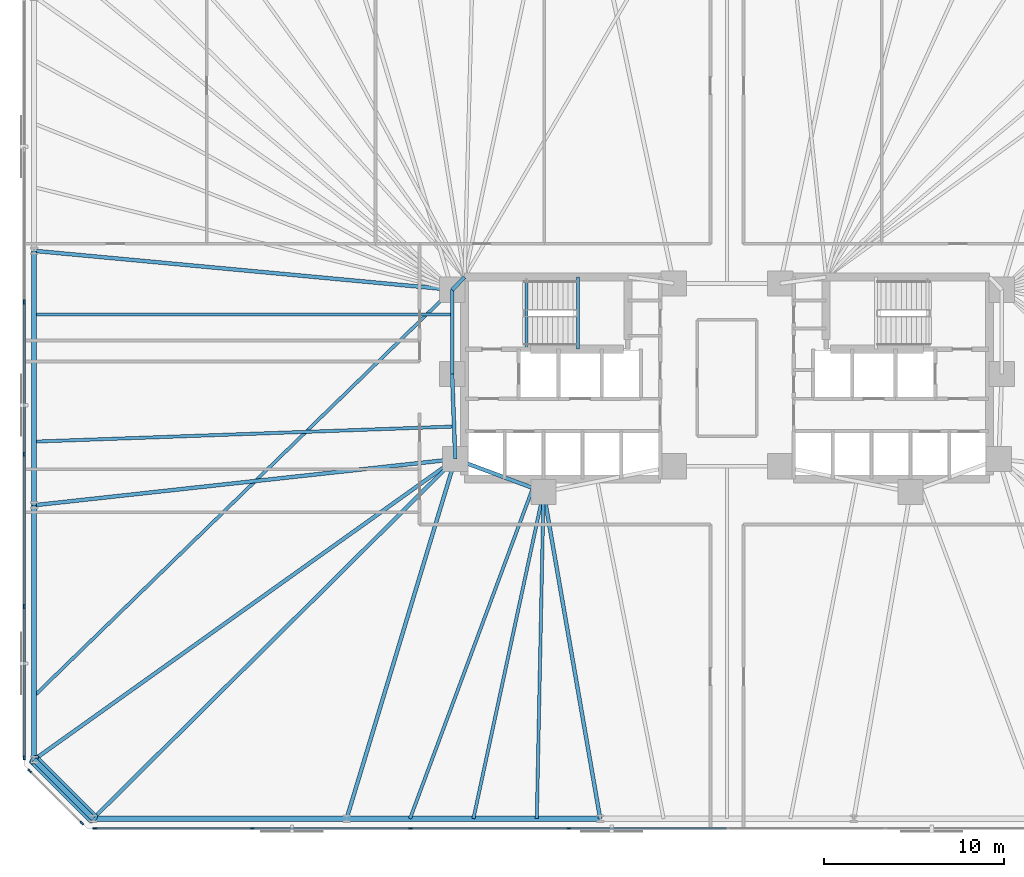
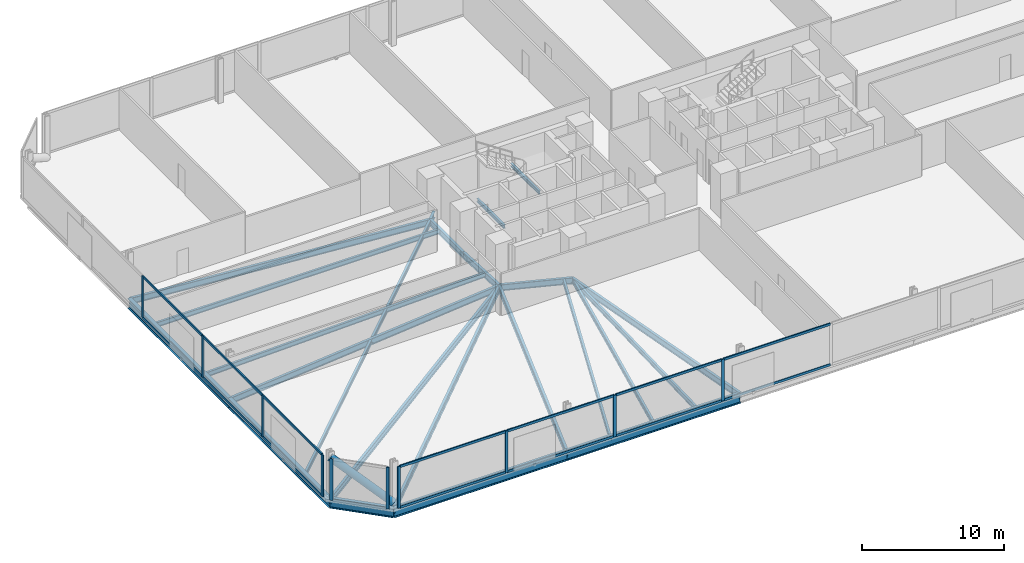
# One storey, part 6 of 16: 25 members, 23 beams, 3 elements without a shape of their own.
"""IFC4 building model written with IfcOpenShell, lengths in metres."""

from ifc_helpers import new_model, si_unit, direction, frame, origin, origin_2d, place, context, subcontext, project, spatial, rectangle, hollow_circle, i_section, extrude, material, material_profile, profile_set, type_object, element, aggregate, save


model = new_model("IFC4")

# Units and contexts
model_context = context("Model", 3, precision=1e-05, world=origin(), true_north=direction((0.0, 1.0)))
body_context = subcontext(model_context, "Body", "Model", "MODEL_VIEW")
ifc_project = project(units=[si_unit("LENGTHUNIT", "METRE"), si_unit("AREAUNIT", "SQUARE_METRE"), si_unit("VOLUMEUNIT", "CUBIC_METRE"), si_unit("PLANEANGLEUNIT", "RADIAN"), si_unit("MASSUNIT", "GRAM", prefix="KILO")], contexts=[model_context])

# Site, building, storey
site_placement = place(None, origin())
site = spatial("IfcSite", under=ifc_project, at=site_placement, CompositionType="ELEMENT")
building_placement = place(site_placement, origin())
building = spatial("IfcBuilding", under=site, at=building_placement, Name="Menara Jurai Vektor", CompositionType="ELEMENT")
storey_placement = place(building_placement, frame((0.0, 0.0, 33.199951171875)))
storey = spatial("IfcBuildingStorey", under=building, at=storey_placement, Name="L07", CompositionType="ELEMENT", Elevation=33.199951171875)

# Curtain wall, members
ifc_material_1 = material(Name="Anodised Pale Aluminium & Low-E Double Glazing", Category="aluminium")
curtain_wall_type = type_object("IfcCurtainWallType", Name="CW-BLK1", PredefinedType="NOTDEFINED", material=ifc_material_1)
curtain_wall_1_placement = place(storey_placement, origin())
curtain_wall_1 = element("IfcCurtainWall", 1, at=curtain_wall_1_placement, inside=storey, type_object=curtain_wall_type, Name="Unitised Curtain Wall L07 F01", PredefinedType="NOTDEFINED")
ifc_material_2 = material(Name="Anodised Pale Aluminium Mullion", Category="aluminium")
ifc_material_profile_1 = material_profile(ifc_material_2, rectangle(XDim=0.094970703125, YDim=0.239990234375, at=origin_2d()), Name="ALU MUL 95x240")
ifc_profile_set_1 = profile_set([ifc_material_profile_1], Name="Anodised Pale Aluminium Mullion")
member_type_1 = type_object("IfcMemberType", Name="CW-BLK1-MUL", PredefinedType="MULLION", material=ifc_profile_set_1)
member_1_placement = place(storey_placement, frame((-35.072509765625, -25.0, 0.0), z_axis=(0.0, 0.0, 1.0), x_axis=(0.0, 1.0, 0.0)))
member_1 = element("IfcMember", 2, at=member_1_placement, type_object=member_type_1, Name="CW-01 mullion 1", PredefinedType="MULLION", context=body_context, shape_type="SweptSolid", body=[
    extrude(rectangle(XDim=0.094970703125, YDim=0.239990234375, at=origin_2d()), origin(), (0.0, 0.0, 1.0), 3.574951171875),
])
member_2_placement = place(storey_placement, frame((-26.340087890625, -25.0, 0.0), z_axis=(0.0, 0.0, 1.0), x_axis=(0.0, 1.0, 0.0)))
member_2 = element("IfcMember", 3, at=member_2_placement, type_object=member_type_1, Name="CW-01 mullion 2", PredefinedType="MULLION", context=body_context, shape_type="SweptSolid", body=[
    extrude(rectangle(XDim=0.094970703125, YDim=0.239990234375, at=origin_2d()), origin(), (0.0, 0.0, 1.0), 3.574951171875),
])
member_3_placement = place(storey_placement, frame((-17.56005859375, -25.0, 0.0), z_axis=(0.0, 0.0, 1.0), x_axis=(0.0, 1.0, 0.0)))
member_3 = element("IfcMember", 4, at=member_3_placement, type_object=member_type_1, Name="CW-01 mullion 3", PredefinedType="MULLION", context=body_context, shape_type="SweptSolid", body=[
    extrude(rectangle(XDim=0.094970703125, YDim=0.239990234375, at=origin_2d()), origin(), (0.0, 0.0, 1.0), 3.574951171875),
])
member_4_placement = place(storey_placement, frame((-8.780029296875, -25.0, 0.0), z_axis=(0.0, 0.0, 1.0), x_axis=(0.0, 1.0, 0.0)))
member_4 = element("IfcMember", 5, at=member_4_placement, type_object=member_type_1, Name="CW-01 mullion 4", PredefinedType="MULLION", context=body_context, shape_type="SweptSolid", body=[
    extrude(rectangle(XDim=0.094970703125, YDim=0.239990234375, at=origin_2d()), origin(), (0.0, 0.0, 1.0), 3.574951171875),
])

curtain_wall_2_placement = place(storey_placement, origin())
curtain_wall_2 = element("IfcCurtainWall", 6, at=curtain_wall_2_placement, inside=storey, type_object=curtain_wall_type, Name="Unitised Curtain Wall L07 F07", PredefinedType="NOTDEFINED")
member_5_placement = place(storey_placement, frame((-39.0, 4.22412109375, 0.0), z_axis=(0.0, 0.0, 1.0), x_axis=(1.0, 0.0, 0.0)))
member_5 = element("IfcMember", 7, at=member_5_placement, type_object=member_type_1, Name="CW-01 mullion 3", PredefinedType="MULLION", context=body_context, shape_type="SweptSolid", body=[
    extrude(rectangle(XDim=0.094970703125, YDim=0.239990234375, at=origin_2d()), origin(), (0.0, 0.0, 1.0), 3.574951171875),
])
member_6_placement = place(storey_placement, frame((-39.0, -4.22412109375, 0.0), z_axis=(0.0, 0.0, 1.0), x_axis=(1.0, 0.0, 0.0)))
member_6 = element("IfcMember", 8, at=member_6_placement, type_object=member_type_1, Name="CW-01 mullion 4", PredefinedType="MULLION", context=body_context, shape_type="SweptSolid", body=[
    extrude(rectangle(XDim=0.094970703125, YDim=0.239990234375, at=origin_2d()), origin(), (0.0, 0.0, 1.0), 3.574951171875),
])
member_7_placement = place(storey_placement, frame((-39.0, -12.672119140625, 0.0), z_axis=(0.0, 0.0, 1.0), x_axis=(1.0, 0.0, 0.0)))
member_7 = element("IfcMember", 9, at=member_7_placement, type_object=member_type_1, Name="CW-01 mullion 5", PredefinedType="MULLION", context=body_context, shape_type="SweptSolid", body=[
    extrude(rectangle(XDim=0.094970703125, YDim=0.239990234375, at=origin_2d()), origin(), (0.0, 0.0, 1.0), 3.574951171875),
])
member_8_placement = place(storey_placement, frame((-39.0, -21.072509765625, 0.0), z_axis=(0.0, 0.0, 1.0), x_axis=(1.0, 0.0, 0.0)))
member_8 = element("IfcMember", 10, at=member_8_placement, type_object=member_type_1, Name="CW-01 mullion 6", PredefinedType="MULLION", context=body_context, shape_type="SweptSolid", body=[
    extrude(rectangle(XDim=0.094970703125, YDim=0.239990234375, at=origin_2d()), origin(), (0.0, 0.0, 1.0), 3.574951171875),
])

curtain_wall_3_placement = place(storey_placement, origin())
curtain_wall_3 = element("IfcCurtainWall", 11, at=curtain_wall_3_placement, inside=storey, type_object=curtain_wall_type, Name="Unitised Curtain Wall L07 F08", PredefinedType="NOTDEFINED")
member_9_placement = place(storey_placement, frame((-38.69775390625, -21.80224609375, 0.0), z_axis=(0.0, 0.0, 1.0), x_axis=(0.707106781187, 0.707106781187, 0.0)))
member_9 = element("IfcMember", 12, at=member_9_placement, type_object=member_type_1, Name="CW-01 mullion 1", PredefinedType="MULLION", context=body_context, shape_type="SweptSolid", body=[
    extrude(rectangle(XDim=0.094970703125, YDim=0.239990234375, at=origin_2d()), origin(), (0.0, 0.0, 1.0), 3.574951171875),
])
member_10_placement = place(storey_placement, frame((-35.80224609375, -24.69775390625, 0.0), z_axis=(0.0, 0.0, 1.0), x_axis=(0.707106781187, 0.707106781187, 0.0)))
member_10 = element("IfcMember", 13, at=member_10_placement, type_object=member_type_1, Name="CW-01 mullion 2", PredefinedType="MULLION", context=body_context, shape_type="SweptSolid", body=[
    extrude(rectangle(XDim=0.094970703125, YDim=0.239990234375, at=origin_2d()), origin(), (0.0, 0.0, 1.0), 3.574951171875),
])
aggregate(curtain_wall_3, [member_9, member_10])

# Member
ifc_material_3 = material(Name="Anodised Pale Aluminium Transom", Category="aluminium")
ifc_material_profile_2 = material_profile(ifc_material_3, rectangle(XDim=0.094970703125, YDim=0.199951171875, at=origin_2d()), Name="ALU TRN 95x200")
ifc_profile_set_2 = profile_set([ifc_material_profile_2], Name="Anodised Pale Aluminium Transom")
member_type_2 = type_object("IfcMemberType", Name="CW-BLK1-TRN", PredefinedType="USERDEFINED", material=ifc_profile_set_2)
member_11_placement = place(storey_placement, frame((-35.02490234375, -25.0, 0.047607421875), z_axis=(1.0, 0.0, 0.0), x_axis=(0.0, 1.0, 0.0)))
member_11 = element("IfcMember", 14, at=member_11_placement, type_object=member_type_2, Name="CW-01 transom 1.1", ObjectType="TRANSOM", PredefinedType="USERDEFINED", context=body_context, shape_type="SweptSolid", body=[
    extrude(rectangle(XDim=0.094970703125, YDim=0.199951171875, at=origin_2d()), origin(), (0.0, 0.0, 1.0), 8.637451171875),
])

member_12_placement = place(storey_placement, frame((-35.02490234375, -25.0, 3.527587890625), z_axis=(1.0, 0.0, 0.0), x_axis=(0.0, 1.0, 0.0)))
member_12 = element("IfcMember", 15, at=member_12_placement, type_object=member_type_2, Name="CW-01 transom 1.2", ObjectType="TRANSOM", PredefinedType="USERDEFINED", context=body_context, shape_type="SweptSolid", body=[
    extrude(rectangle(XDim=0.094970703125, YDim=0.199951171875, at=origin_2d()), origin(), (0.0, 0.0, 1.0), 8.637451171875),
])

member_13_placement = place(storey_placement, frame((-26.29248046875, -25.0, 0.047607421875), z_axis=(1.0, 0.0, 0.0), x_axis=(0.0, 1.0, 0.0)))
member_13 = element("IfcMember", 16, at=member_13_placement, type_object=member_type_2, Name="CW-01 transom 2.1", ObjectType="TRANSOM", PredefinedType="USERDEFINED", context=body_context, shape_type="SweptSolid", body=[
    extrude(rectangle(XDim=0.094970703125, YDim=0.199951171875, at=origin_2d()), origin(), (0.0, 0.0, 1.0), 8.68505859375),
])

member_14_placement = place(storey_placement, frame((-26.29248046875, -25.0, 3.527587890625), z_axis=(1.0, 0.0, 0.0), x_axis=(0.0, 1.0, 0.0)))
member_14 = element("IfcMember", 17, at=member_14_placement, type_object=member_type_2, Name="CW-01 transom 2.2", ObjectType="TRANSOM", PredefinedType="USERDEFINED", context=body_context, shape_type="SweptSolid", body=[
    extrude(rectangle(XDim=0.094970703125, YDim=0.199951171875, at=origin_2d()), origin(), (0.0, 0.0, 1.0), 8.68505859375),
])

member_15_placement = place(storey_placement, frame((-17.512451171875, -25.0, 0.047607421875), z_axis=(1.0, 0.0, 0.0), x_axis=(0.0, 1.0, 0.0)))
member_15 = element("IfcMember", 18, at=member_15_placement, type_object=member_type_2, Name="CW-01 transom 3.1", ObjectType="TRANSOM", PredefinedType="USERDEFINED", context=body_context, shape_type="SweptSolid", body=[
    extrude(rectangle(XDim=0.094970703125, YDim=0.199951171875, at=origin_2d()), origin(), (0.0, 0.0, 1.0), 8.68505859375),
])

member_16_placement = place(storey_placement, frame((-17.512451171875, -25.0, 3.527587890625), z_axis=(1.0, 0.0, 0.0), x_axis=(0.0, 1.0, 0.0)))
member_16 = element("IfcMember", 19, at=member_16_placement, type_object=member_type_2, Name="CW-01 transom 3.2", ObjectType="TRANSOM", PredefinedType="USERDEFINED", context=body_context, shape_type="SweptSolid", body=[
    extrude(rectangle(XDim=0.094970703125, YDim=0.199951171875, at=origin_2d()), origin(), (0.0, 0.0, 1.0), 8.68505859375),
])

member_17_placement = place(storey_placement, frame((-8.732421875, -25.0, 0.047607421875), z_axis=(1.0, 0.0, 0.0), x_axis=(0.0, 1.0, 0.0)))
member_17 = element("IfcMember", 20, at=member_17_placement, type_object=member_type_2, Name="CW-01 transom 4.1", ObjectType="TRANSOM", PredefinedType="USERDEFINED", context=body_context, shape_type="SweptSolid", body=[
    extrude(rectangle(XDim=0.094970703125, YDim=0.199951171875, at=origin_2d()), origin(), (0.0, 0.0, 1.0), 8.684814453125),
])

member_18_placement = place(storey_placement, frame((-8.732421875, -25.0, 3.527587890625), z_axis=(1.0, 0.0, 0.0), x_axis=(0.0, 1.0, 0.0)))
member_18 = element("IfcMember", 21, at=member_18_placement, type_object=member_type_2, Name="CW-01 transom 4.2", ObjectType="TRANSOM", PredefinedType="USERDEFINED", context=body_context, shape_type="SweptSolid", body=[
    extrude(rectangle(XDim=0.094970703125, YDim=0.199951171875, at=origin_2d()), origin(), (0.0, 0.0, 1.0), 8.684814453125),
])

aggregate(curtain_wall_1, [member_1, member_2, member_3, member_4, member_11, member_12, member_13, member_14, member_15, member_16, member_17, member_18])

member_19_placement = place(storey_placement, frame((-39.0, 4.176513671875, 0.047607421875), z_axis=(0.0, -1.0, 0.0), x_axis=(1.0, 0.0, 0.0)))
member_19 = element("IfcMember", 22, at=member_19_placement, type_object=member_type_2, Name="CW-01 transom 3.1", ObjectType="TRANSOM", PredefinedType="USERDEFINED", context=body_context, shape_type="SweptSolid", body=[
    extrude(rectangle(XDim=0.094970703125, YDim=0.199951171875, at=origin_2d()), origin(), (0.0, 0.0, 1.0), 8.35302734375),
])

member_20_placement = place(storey_placement, frame((-39.0, 4.176513671875, 3.527587890625), z_axis=(0.0, -1.0, 0.0), x_axis=(1.0, 0.0, 0.0)))
member_20 = element("IfcMember", 23, at=member_20_placement, type_object=member_type_2, Name="CW-01 transom 3.2", ObjectType="TRANSOM", PredefinedType="USERDEFINED", context=body_context, shape_type="SweptSolid", body=[
    extrude(rectangle(XDim=0.094970703125, YDim=0.199951171875, at=origin_2d()), origin(), (0.0, 0.0, 1.0), 8.35302734375),
])

member_21_placement = place(storey_placement, frame((-39.0, -4.271484375, 0.047607421875), z_axis=(0.0, -1.0, 0.0), x_axis=(1.0, 0.0, 0.0)))
member_21 = element("IfcMember", 24, at=member_21_placement, type_object=member_type_2, Name="CW-01 transom 4.1", ObjectType="TRANSOM", PredefinedType="USERDEFINED", context=body_context, shape_type="SweptSolid", body=[
    extrude(rectangle(XDim=0.094970703125, YDim=0.199951171875, at=origin_2d()), origin(), (0.0, 0.0, 1.0), 8.35302734375),
])

member_22_placement = place(storey_placement, frame((-39.0, -4.271484375, 3.527587890625), z_axis=(0.0, -1.0, 0.0), x_axis=(1.0, 0.0, 0.0)))
member_22 = element("IfcMember", 25, at=member_22_placement, type_object=member_type_2, Name="CW-01 transom 4.2", ObjectType="TRANSOM", PredefinedType="USERDEFINED", context=body_context, shape_type="SweptSolid", body=[
    extrude(rectangle(XDim=0.094970703125, YDim=0.199951171875, at=origin_2d()), origin(), (0.0, 0.0, 1.0), 8.35302734375),
])

member_23_placement = place(storey_placement, frame((-39.0, -12.719482421875, 0.047607421875), z_axis=(0.0, -1.0, 0.0), x_axis=(1.0, 0.0, 0.0)))
member_23 = element("IfcMember", 26, at=member_23_placement, type_object=member_type_2, Name="CW-01 transom 5.1", ObjectType="TRANSOM", PredefinedType="USERDEFINED", context=body_context, shape_type="SweptSolid", body=[
    extrude(rectangle(XDim=0.094970703125, YDim=0.199951171875, at=origin_2d()), origin(), (0.0, 0.0, 1.0), 8.305419921875),
])

member_24_placement = place(storey_placement, frame((-39.0, -12.719482421875, 3.527587890625), z_axis=(0.0, -1.0, 0.0), x_axis=(1.0, 0.0, 0.0)))
member_24 = element("IfcMember", 27, at=member_24_placement, type_object=member_type_2, Name="CW-01 transom 5.2", ObjectType="TRANSOM", PredefinedType="USERDEFINED", context=body_context, shape_type="SweptSolid", body=[
    extrude(rectangle(XDim=0.094970703125, YDim=0.199951171875, at=origin_2d()), origin(), (0.0, 0.0, 1.0), 8.305419921875),
])

aggregate(curtain_wall_2, [member_5, member_6, member_7, member_8, member_19, member_20, member_21, member_22, member_23, member_24])

# Beams
ifc_material_4 = material(Name="Steel S355", Category="steel")
ifc_material_profile_3 = material_profile(ifc_material_4, i_section(OverallWidth=0.2109375, OverallDepth=0.5390625, WebThickness=0.011962890625, FlangeThickness=0.01904296875, FilletRadius=0.012939453125, at=origin_2d()), Name="UKB 533x210x109")
ifc_profile_set_3 = profile_set([ifc_material_profile_3], Name="Steel S355")
beam_type_1 = type_object("IfcBeamType", Name="STR-BM-533", PredefinedType="BEAM", material=ifc_profile_set_3)
beam_1_placement = place(storey_placement, frame((-15.25, 4.89990234375, -0.494384765625), z_axis=(0.701871936926, 0.712303154672, 0.0), x_axis=(-0.712303154672, 0.701871936926, 0.0)))
element("IfcBeam", 28, at=beam_1_placement, inside=storey, type_object=beam_type_1, Name="Core Ring Header Girder L07-CHW-N1", PredefinedType="BEAM", context=body_context, shape_type="SweptSolid", body=[
    extrude(i_section(OverallWidth=0.2109375, OverallDepth=0.5390625, WebThickness=0.011962890625, FlangeThickness=0.01904296875, FilletRadius=0.012939453125, at=origin_2d()), origin(), (0.0, 0.0, 1.0), 0.98291015625),
])
beam_2_placement = place(storey_placement, frame((-15.25, 0.219970703125, -0.494384765625), z_axis=(0.0, 1.0, 0.0), x_axis=(-1.0, 0.0, 0.0)))
element("IfcBeam", 29, at=beam_2_placement, inside=storey, type_object=beam_type_1, Name="Core Ring Header Girder L07-CHW-W1", PredefinedType="BEAM", context=body_context, shape_type="SweptSolid", body=[
    extrude(i_section(OverallWidth=0.2109375, OverallDepth=0.5390625, WebThickness=0.011962890625, FlangeThickness=0.01904296875, FilletRadius=0.012939453125, at=origin_2d()), origin(), (0.0, 0.0, 1.0), 4.679931640625),
])
beam_3_placement = place(storey_placement, frame((-15.080078125, -4.5, -0.494384765625), z_axis=(-0.035977314146, 0.999352606874, 0.0), x_axis=(-0.999352606874, -0.035977314146, 0.0)))
element("IfcBeam", 30, at=beam_3_placement, inside=storey, type_object=beam_type_1, Name="Core Ring Header Girder L07-CHW-W2", PredefinedType="BEAM", context=body_context, shape_type="SweptSolid", body=[
    extrude(i_section(OverallWidth=0.2109375, OverallDepth=0.5390625, WebThickness=0.011962890625, FlangeThickness=0.01904296875, FilletRadius=0.012939453125, at=origin_2d()), origin(), (0.0, 0.0, 1.0), 4.72314453125),
])
beam_4_placement = place(storey_placement, frame((-15.080078125, -4.5, -0.494384765625), z_axis=(0.937424400887, -0.348188874925, 0.0), x_axis=(0.348188874925, 0.937424400887, 0.0)))
element("IfcBeam", 31, at=beam_4_placement, inside=storey, type_object=beam_type_1, Name="Core Ring Header Girder L07-CHW-S1", PredefinedType="BEAM", context=body_context, shape_type="SweptSolid", body=[
    extrude(i_section(OverallWidth=0.2109375, OverallDepth=0.5390625, WebThickness=0.011962890625, FlangeThickness=0.01904296875, FilletRadius=0.012939453125, at=origin_2d()), origin(), (0.0, 0.0, 1.0), 5.227294921875),
])
beam_5_placement = place(storey_placement, frame((-35.177734375, -24.449951171875, -0.494384765625), z_axis=(0.709709931659, 0.704494011972, 0.0), x_axis=(-0.704494011972, 0.709709931659, 0.0)))
element("IfcBeam", 32, at=beam_5_placement, inside=storey, type_object=beam_type_1, Name="Radial Floor Girder L07-S1", PredefinedType="BEAM", context=body_context, shape_type="SweptSolid", body=[
    extrude(i_section(OverallWidth=0.2109375, OverallDepth=0.5390625, WebThickness=0.011962890625, FlangeThickness=0.01904296875, FilletRadius=0.012939453125, at=origin_2d()), origin(), (0.0, 0.0, 1.0), 28.318115234375),
])
beam_6_placement = place(storey_placement, frame((-21.106689453125, -24.449951171875, -0.494384765625), z_axis=(0.289179812203, 0.957274796604, 0.0), x_axis=(-0.957274796604, 0.289179812203, 0.0)))
element("IfcBeam", 33, at=beam_6_placement, inside=storey, type_object=beam_type_1, Name="Radial Floor Girder L07-S2", PredefinedType="BEAM", context=body_context, shape_type="SweptSolid", body=[
    extrude(i_section(OverallWidth=0.2109375, OverallDepth=0.5390625, WebThickness=0.011962890625, FlangeThickness=0.01904296875, FilletRadius=0.012939453125, at=origin_2d()), origin(), (0.0, 0.0, 1.0), 20.84033203125),
])
beam_7_placement = place(storey_placement, frame((-7.03564453125, -24.449951171875, -0.494384765625), z_axis=(-0.170880325642, 0.985291791455, 0.0), x_axis=(-0.985291791455, -0.170880325642, 0.0)))
element("IfcBeam", 34, at=beam_7_placement, inside=storey, type_object=beam_type_1, Name="Radial Floor Girder L07-S3", PredefinedType="BEAM", context=body_context, shape_type="SweptSolid", body=[
    extrude(i_section(OverallWidth=0.2109375, OverallDepth=0.5390625, WebThickness=0.011962890625, FlangeThickness=0.01904296875, FilletRadius=0.012939453125, at=origin_2d()), origin(), (0.0, 0.0, 1.0), 18.400634765625),
])
beam_8_placement = place(storey_placement, frame((-38.449951171875, 7.059326171875, -0.494384765625), z_axis=(0.995696113112, -0.092678208514, 0.0), x_axis=(0.092678208514, 0.995696113112, 0.0)))
element("IfcBeam", 35, at=beam_8_placement, inside=storey, type_object=beam_type_1, Name="Radial Floor Girder L07-W2", PredefinedType="BEAM", context=body_context, shape_type="SweptSolid", body=[
    extrude(i_section(OverallWidth=0.2109375, OverallDepth=0.5390625, WebThickness=0.011962890625, FlangeThickness=0.01904296875, FilletRadius=0.012939453125, at=origin_2d()), origin(), (0.0, 0.0, 1.0), 23.30029296875),
])
beam_9_placement = place(storey_placement, frame((-38.449951171875, -7.059326171875, -0.494384765625), z_axis=(0.994056757953, 0.108863042253, 0.0), x_axis=(-0.108863042253, 0.994056757953, 0.0)))
element("IfcBeam", 36, at=beam_9_placement, inside=storey, type_object=beam_type_1, Name="Radial Floor Girder L07-W3", PredefinedType="BEAM", context=body_context, shape_type="SweptSolid", body=[
    extrude(i_section(OverallWidth=0.2109375, OverallDepth=0.5390625, WebThickness=0.011962890625, FlangeThickness=0.01904296875, FilletRadius=0.012939453125, at=origin_2d()), origin(), (0.0, 0.0, 1.0), 23.509521484375),
])
beam_10_placement = place(storey_placement, frame((-38.449951171875, -21.177734375, -0.494384765625), z_axis=(0.813981033216, 0.580891450759, 0.0), x_axis=(-0.580891450759, 0.813981033216, 0.0)))
element("IfcBeam", 37, at=beam_10_placement, inside=storey, type_object=beam_type_1, Name="Radial Floor Girder L07-W4", PredefinedType="BEAM", context=body_context, shape_type="SweptSolid", body=[
    extrude(i_section(OverallWidth=0.2109375, OverallDepth=0.5390625, WebThickness=0.011962890625, FlangeThickness=0.01904296875, FilletRadius=0.012939453125, at=origin_2d()), origin(), (0.0, 0.0, 1.0), 28.710693359375),
])

# Member
ifc_material_5 = material(Name="Steel S460", Category="steel")
ifc_material_profile_4 = material_profile(ifc_material_5, hollow_circle(Radius=0.304931640625, WallThickness=0.02490234375, at=origin_2d()), Name="CHS 610x25")
ifc_profile_set_4 = profile_set([ifc_material_profile_4], Name="Steel S460")
member_type_3 = type_object("IfcMemberType", Name="STR-BR-610", PredefinedType="BRACE", material=ifc_profile_set_4)
member_25_placement = place(storey_placement, frame((-35.177734375, -24.449951171875, 0.150146484375), z_axis=(-0.588942422958, 0.588942422958, 0.553438022619), x_axis=(-0.707106781187, -0.707106781187, 0.0)))
element("IfcMember", 38, at=member_25_placement, inside=storey, type_object=member_type_3, Name="Exoskeleton Corner Brace L07-4", PredefinedType="BRACE", context=body_context, shape_type="SweptSolid", body=[
    extrude(hollow_circle(Radius=0.304931640625, WallThickness=0.02490234375, at=origin_2d()), origin(), (0.0, 0.0, 1.0), 5.55615234375),
])

# Beams
ifc_material_profile_5 = material_profile(ifc_material_4, i_section(OverallWidth=0.178955078125, OverallDepth=0.408935546875, WebThickness=0.009033203125, FlangeThickness=0.013916015625, FilletRadius=0.010009765625, at=origin_2d()), Name="UKB 406x178x67")
ifc_profile_set_5 = profile_set([ifc_material_profile_5], Name="Steel S355")
beam_type_2 = type_object("IfcBeamType", Name="STR-JS-406", PredefinedType="JOIST", material=ifc_profile_set_5)
beam_11_placement = place(storey_placement, frame((-17.5888671875, -24.449951171875, -0.429443359375), z_axis=(0.348179014223, 0.937428063403, 0.0), x_axis=(-0.937428063403, 0.348179014223, 0.0)))
element("IfcBeam", 39, at=beam_11_placement, inside=storey, type_object=beam_type_2, Name="Radial Secondary Floor Joist L07-JS01", PredefinedType="JOIST", context=body_context, shape_type="SweptSolid", body=[
    extrude(i_section(OverallWidth=0.178955078125, OverallDepth=0.408935546875, WebThickness=0.009033203125, FlangeThickness=0.013916015625, FilletRadius=0.010009765625, at=origin_2d()), origin(), (0.0, 0.0, 1.0), 19.5751953125),
])
beam_12_placement = place(storey_placement, frame((-14.071044921875, -24.449951171875, -0.429443359375), z_axis=(0.209845584412, 0.977734539997, 0.0), x_axis=(-0.977734539997, 0.209845584412, 0.0)))
element("IfcBeam", 40, at=beam_12_placement, inside=storey, type_object=beam_type_2, Name="Radial Secondary Floor Joist L07-JS02", PredefinedType="JOIST", context=body_context, shape_type="SweptSolid", body=[
    extrude(i_section(OverallWidth=0.178955078125, OverallDepth=0.408935546875, WebThickness=0.009033203125, FlangeThickness=0.013916015625, FilletRadius=0.010009765625, at=origin_2d()), origin(), (0.0, 0.0, 1.0), 18.542724609375),
])
beam_13_placement = place(storey_placement, frame((-10.55322265625, -24.449951171875, -0.429443359375), z_axis=(0.020585456509, 0.999788097039, 0.0), x_axis=(-0.999788097039, 0.020585456509, 0.0)))
element("IfcBeam", 41, at=beam_13_placement, inside=storey, type_object=beam_type_2, Name="Radial Secondary Floor Joist L07-JS03", PredefinedType="JOIST", context=body_context, shape_type="SweptSolid", body=[
    extrude(i_section(OverallWidth=0.178955078125, OverallDepth=0.408935546875, WebThickness=0.009033203125, FlangeThickness=0.013916015625, FilletRadius=0.010009765625, at=origin_2d()), origin(), (0.0, 0.0, 1.0), 18.1337890625),
])
beam_14_placement = place(storey_placement, frame((-38.449951171875, 3.529541015625, -0.429443359375), z_axis=(1.0, 0.0, 0.0), x_axis=(0.0, 1.0, 0.0)))
element("IfcBeam", 42, at=beam_14_placement, inside=storey, type_object=beam_type_2, Name="Radial Secondary Floor Joist L07-JS35", PredefinedType="JOIST", context=body_context, shape_type="SweptSolid", body=[
    extrude(i_section(OverallWidth=0.178955078125, OverallDepth=0.408935546875, WebThickness=0.009033203125, FlangeThickness=0.013916015625, FilletRadius=0.010009765625, at=origin_2d()), origin(), (0.0, 0.0, 1.0), 23.199951171875),
])
beam_15_placement = place(storey_placement, frame((-38.449951171875, -3.529541015625, -0.429443359375), z_axis=(0.999352032814, 0.035993256462, 0.0), x_axis=(-0.035993256462, 0.999352032814, 0.0)))
element("IfcBeam", 43, at=beam_15_placement, inside=storey, type_object=beam_type_2, Name="Radial Secondary Floor Joist L07-JS36", PredefinedType="JOIST", context=body_context, shape_type="SweptSolid", body=[
    extrude(i_section(OverallWidth=0.178955078125, OverallDepth=0.408935546875, WebThickness=0.009033203125, FlangeThickness=0.013916015625, FilletRadius=0.010009765625, at=origin_2d()), origin(), (0.0, 0.0, 1.0), 23.31982421875),
])
beam_16_placement = place(storey_placement, frame((-38.449951171875, -17.648193359375, -0.429443359375), z_axis=(0.71710942187, 0.696960599363, 0.0), x_axis=(-0.696960599363, 0.71710942187, 0.0)))
element("IfcBeam", 44, at=beam_16_placement, inside=storey, type_object=beam_type_2, Name="Radial Secondary Floor Joist L07-JS37", PredefinedType="JOIST", context=body_context, shape_type="SweptSolid", body=[
    extrude(i_section(OverallWidth=0.178955078125, OverallDepth=0.408935546875, WebThickness=0.009033203125, FlangeThickness=0.013916015625, FilletRadius=0.010009765625, at=origin_2d()), origin(), (0.0, 0.0, 1.0), 32.35205078125),
])
ifc_material_profile_6 = material_profile(ifc_material_4, i_section(OverallWidth=0.1650390625, OverallDepth=0.302978515625, WebThickness=0.006103515625, FlangeThickness=0.010009765625, FilletRadius=0.009033203125, at=origin_2d()), Name="UKB 305x165x40")
ifc_profile_set_6 = profile_set([ifc_material_profile_6], Name="Steel S355")
beam_type_3 = type_object("IfcBeamType", Name="STR-LN-305", PredefinedType="LINTEL", material=ifc_profile_set_6)
beam_17_placement = place(storey_placement, frame((-11.1201171875, 1.60009765625, -0.37646484375), z_axis=(0.0, 1.0, 0.0), x_axis=(-1.0, 0.0, 0.0)))
element("IfcBeam", 45, at=beam_17_placement, inside=storey, type_object=beam_type_3, Name="Stair Well Floor Trimmer ST1 L07", PredefinedType="LINTEL", context=body_context, shape_type="SweptSolid", body=[
    extrude(i_section(OverallWidth=0.1650390625, OverallDepth=0.302978515625, WebThickness=0.006103515625, FlangeThickness=0.010009765625, FilletRadius=0.009033203125, at=origin_2d()), origin(), (0.0, 0.0, 1.0), 3.81982421875),
])
beam_18_placement = place(storey_placement, frame((-8.27001953125, 1.60009765625, 1.548583984375), z_axis=(0.0, 1.0, 0.0), x_axis=(-1.0, 0.0, 0.0)))
element("IfcBeam", 46, at=beam_18_placement, inside=storey, type_object=beam_type_3, Name="Stair Half-Landing Nosing Trimmer ST1-1 L07", PredefinedType="LINTEL", context=body_context, shape_type="SweptSolid", body=[
    extrude(i_section(OverallWidth=0.1650390625, OverallDepth=0.302978515625, WebThickness=0.006103515625, FlangeThickness=0.010009765625, FilletRadius=0.009033203125, at=origin_2d()), origin(), (0.0, 0.0, 1.0), 4.0),
])
ifc_material_profile_7 = material_profile(ifc_material_5, i_section(OverallWidth=0.2939453125, OverallDepth=0.85107421875, WebThickness=0.01611328125, FlangeThickness=0.027099609375, FilletRadius=0.01806640625, at=origin_2d()), Name="UKB 838x292x226")
ifc_profile_set_7 = profile_set([ifc_material_profile_7], Name="Steel S460")
beam_type_4 = type_object("IfcBeamType", Name="STR-SP-838", PredefinedType="SPANDREL", material=ifc_profile_set_7)
for number, where, z_axis, x_axis, name in (
    (47, (-35.177734375, -24.449951171875, -0.650390625), (1.0, 0.0, 0.0), (0.0, 1.0, 0.0), "Exoskeleton Spandrel Beam L07-01"),
    (48, (-21.106689453125, -24.449951171875, -0.650390625), (1.0, 0.0, 0.0), (0.0, 1.0, 0.0), "Exoskeleton Spandrel Beam L07-02"),
):
    element("IfcBeam", number, at=place(storey_placement, frame(where, z_axis=z_axis, x_axis=x_axis)), inside=storey, type_object=beam_type_4, Name=name, PredefinedType="SPANDREL", context=body_context, shape_type="SweptSolid", body=[
        extrude(i_section(OverallWidth=0.2939453125, OverallDepth=0.85107421875, WebThickness=0.01611328125, FlangeThickness=0.027099609375, FilletRadius=0.01806640625, at=origin_2d()), origin(), (0.0, 0.0, 1.0), 14.071044921875),
    ])
beam_19_placement = place(storey_placement, frame((-38.449951171875, 7.059326171875, -0.650390625), z_axis=(0.0, -1.0, 0.0), x_axis=(1.0, 0.0, 0.0)))
element("IfcBeam", 49, at=beam_19_placement, inside=storey, type_object=beam_type_4, Name="Exoskeleton Spandrel Beam L07-18", PredefinedType="SPANDREL", context=body_context, shape_type="SweptSolid", body=[
    extrude(i_section(OverallWidth=0.2939453125, OverallDepth=0.85107421875, WebThickness=0.01611328125, FlangeThickness=0.027099609375, FilletRadius=0.01806640625, at=origin_2d()), origin(), (0.0, 0.0, 1.0), 14.11865234375),
])
beam_20_placement = place(storey_placement, frame((-38.449951171875, -7.059326171875, -0.650390625), z_axis=(0.0, -1.0, 0.0), x_axis=(1.0, 0.0, 0.0)))
element("IfcBeam", 50, at=beam_20_placement, inside=storey, type_object=beam_type_4, Name="Exoskeleton Spandrel Beam L07-19", PredefinedType="SPANDREL", context=body_context, shape_type="SweptSolid", body=[
    extrude(i_section(OverallWidth=0.2939453125, OverallDepth=0.85107421875, WebThickness=0.01611328125, FlangeThickness=0.027099609375, FilletRadius=0.01806640625, at=origin_2d()), origin(), (0.0, 0.0, 1.0), 14.118408203125),
])
beam_21_placement = place(storey_placement, frame((-38.449951171875, -21.177734375, -0.650390625), z_axis=(0.707106781187, -0.707106781187, 0.0), x_axis=(0.707106781187, 0.707106781187, 0.0)))
element("IfcBeam", 51, at=beam_21_placement, inside=storey, type_object=beam_type_4, Name="Exoskeleton Spandrel Beam L07-20", PredefinedType="SPANDREL", context=body_context, shape_type="SweptSolid", body=[
    extrude(i_section(OverallWidth=0.2939453125, OverallDepth=0.85107421875, WebThickness=0.01611328125, FlangeThickness=0.027099609375, FilletRadius=0.01806640625, at=origin_2d()), origin(), (0.0, 0.0, 1.0), 4.627685546875),
])

save(model, "model.ifc")
